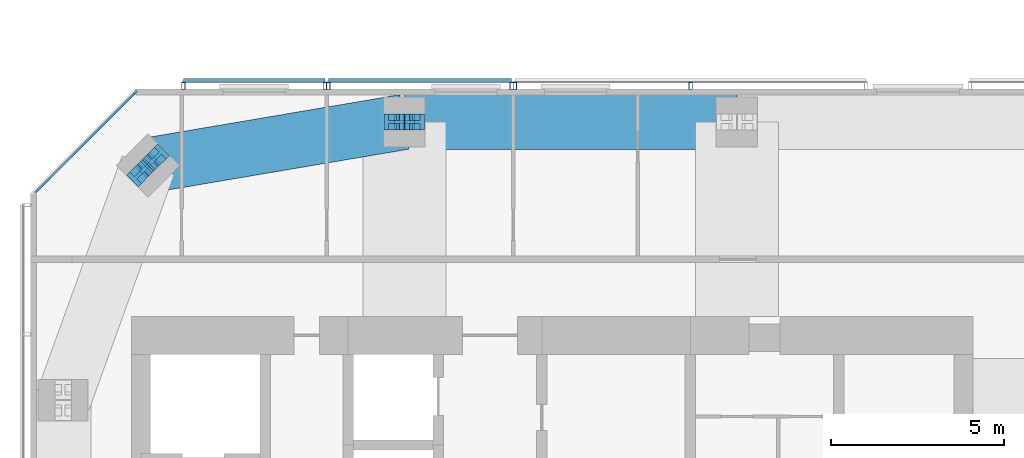
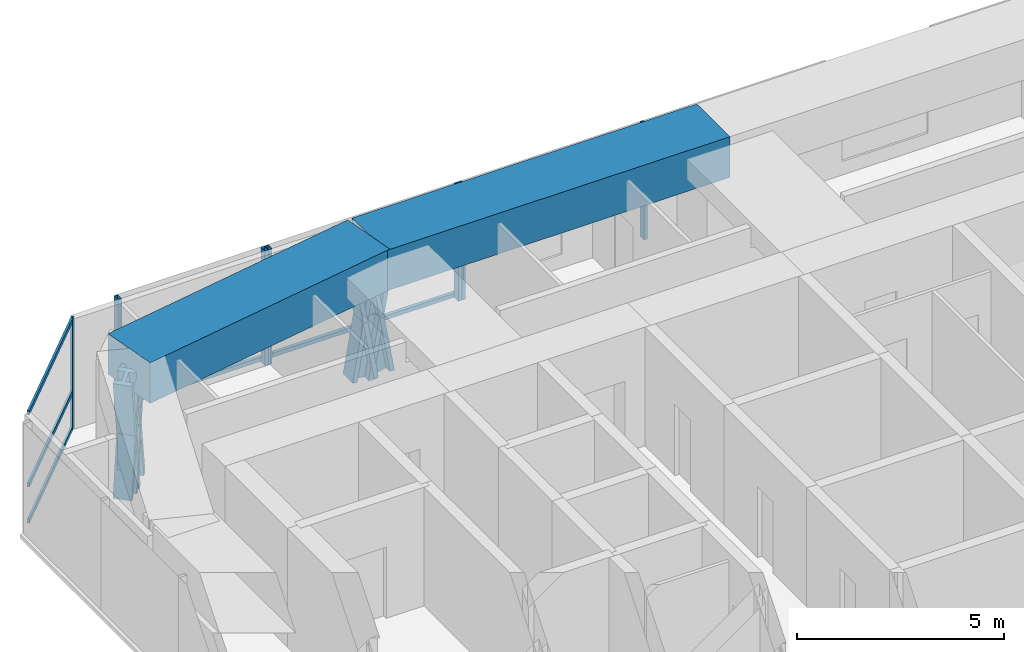
# One storey, part 9 of 18: 20 members, 2 beams, 4 elements without a shape of their own.
"""IFC4 building model written with IfcOpenShell, lengths in metres."""

from ifc_helpers import new_model, si_unit, direction, frame, origin, origin_2d, place, context, subcontext, project, spatial, rectangle, hollow_rectangle, i_section, extrude, material, material_profile, profile_set, type_object, element, aggregate, save


model = new_model("IFC4")

# Units and contexts
model_context = context("Model", 3, precision=1e-05, world=origin(), true_north=direction((0.0, 1.0)))
body_context = subcontext(model_context, "Body", "Model", "MODEL_VIEW")
ifc_project = project(units=[si_unit("LENGTHUNIT", "METRE"), si_unit("AREAUNIT", "SQUARE_METRE"), si_unit("VOLUMEUNIT", "CUBIC_METRE"), si_unit("PLANEANGLEUNIT", "RADIAN"), si_unit("MASSUNIT", "GRAM", prefix="KILO")], contexts=[model_context])

# Site, building, storey
site_placement = place(None, origin())
site = spatial("IfcSite", under=ifc_project, at=site_placement, CompositionType="ELEMENT")
building_placement = place(site_placement, origin())
building = spatial("IfcBuilding", under=site, at=building_placement, Name="Jalousie Tower", CompositionType="ELEMENT")
storey_placement = place(building_placement, frame((0.0, 0.0, 252.949951171875)))
storey = spatial("IfcBuildingStorey", under=building, at=storey_placement, Name="L69", CompositionType="ELEMENT", Elevation=252.949951171875)

# Curtain wall, members
ifc_material_1 = material(Name="Aluminium curtain wall", Category="aluminium")
curtain_wall_type_1 = type_object("IfcCurtainWallType", Name="CORNER WINDOW WALL", PredefinedType="USERDEFINED", material=ifc_material_1)
curtain_wall_1_placement = place(storey_placement, origin())
curtain_wall_1 = element("IfcCurtainWall", 1, at=curtain_wall_1_placement, inside=storey, type_object=curtain_wall_type_1, Name="Corner Window Wall L69 6", ObjectType="CORNER WINDOW WALL", PredefinedType="USERDEFINED")
ifc_material_2 = material(Name="Aluminium mullion", Category="aluminium")
ifc_material_profile_1 = material_profile(ifc_material_2, rectangle(XDim=0.06005859375, YDim=0.14990234375, at=origin_2d()), Name="MULLION 60x150")
ifc_profile_set_1 = profile_set([ifc_material_profile_1], Name="Aluminium mullion")
member_type_1 = type_object("IfcMemberType", Name="CORNER WINDOW WALL MULLION", PredefinedType="MULLION", material=ifc_profile_set_1)
member_1_placement = place(storey_placement, frame((19.830078125, 33.891357421875, 0.0), z_axis=(0.0, 0.0, 1.0), x_axis=(0.707106781187, -0.707106781187, 0.0)))
member_1 = element("IfcMember", 2, at=member_1_placement, type_object=member_type_1, Name="CW-C mullion 1", PredefinedType="MULLION", context=body_context, shape_type="SweptSolid", body=[
    extrude(rectangle(XDim=0.06005859375, YDim=0.14990234375, at=origin_2d()), origin(), (0.0, 0.0, 1.0), 3.260009765625),
])
ifc_material_3 = material(Name="Aluminium transom", Category="aluminium")
ifc_material_profile_2 = material_profile(ifc_material_3, rectangle(XDim=0.06005859375, YDim=0.1201171875, at=origin_2d()), Name="TRANSOM 60x120")
ifc_profile_set_2 = profile_set([ifc_material_profile_2], Name="Aluminium transom")
member_type_2 = type_object("IfcMemberType", Name="CORNER WINDOW WALL TRANSOM", PredefinedType="USERDEFINED", material=ifc_profile_set_2)
member_2_placement = place(storey_placement, frame((19.808837890625, 33.8701171875, 0.030029296875), z_axis=(-0.707106781187, -0.707106781187, 0.0), x_axis=(0.707106781187, -0.707106781187, 0.0)))
member_2 = element("IfcMember", 3, at=member_2_placement, type_object=member_type_2, Name="CW-C transom 1.1", ObjectType="TRANSOM", PredefinedType="USERDEFINED", context=body_context, shape_type="SweptSolid", body=[
    extrude(rectangle(XDim=0.06005859375, YDim=0.1201171875, at=origin_2d()), origin(), (0.0, 0.0, 1.0), 4.0712890625),
])
member_3_placement = place(storey_placement, frame((19.808837890625, 33.8701171875, 1.10009765625), z_axis=(-0.707106781187, -0.707106781187, 0.0), x_axis=(0.707106781187, -0.707106781187, 0.0)))
member_3 = element("IfcMember", 4, at=member_3_placement, type_object=member_type_2, Name="CW-C transom 1.2", ObjectType="TRANSOM", PredefinedType="USERDEFINED", context=body_context, shape_type="SweptSolid", body=[
    extrude(rectangle(XDim=0.06005859375, YDim=0.1201171875, at=origin_2d()), origin(), (0.0, 0.0, 1.0), 4.0712890625),
])
member_4_placement = place(storey_placement, frame((19.808837890625, 33.8701171875, 3.22998046875), z_axis=(-0.707106781187, -0.707106781187, 0.0), x_axis=(0.707106781187, -0.707106781187, 0.0)))
member_4 = element("IfcMember", 5, at=member_4_placement, type_object=member_type_2, Name="CW-C transom 1.3", ObjectType="TRANSOM", PredefinedType="USERDEFINED", context=body_context, shape_type="SweptSolid", body=[
    extrude(rectangle(XDim=0.06005859375, YDim=0.1201171875, at=origin_2d()), origin(), (0.0, 0.0, 1.0), 4.0712890625),
])
aggregate(curtain_wall_1, [member_1, member_2, member_3, member_4])

# Members
ifc_material_4 = material(Name="Steel ASTM A992 Grade 50", Category="steel")
ifc_material_profile_3 = material_profile(ifc_material_4, i_section(OverallWidth=0.472412109375, OverallDepth=0.5791015625, WebThickness=0.094970703125, FlangeThickness=0.1298828125, at=origin_2d()), Name="W14X808")
ifc_profile_set_3 = profile_set([ifc_material_profile_3], Name="Steel ASTM A992 Grade 50")
member_type_3 = type_object("IfcMemberType", Name="PERIMETER BRACE W14X808", PredefinedType="BRACE", material=ifc_profile_set_3)
for number, where, z_axis, x_axis, name in (
    (6, (27.324951171875, 33.050048828125, -0.599853515625), (0.168990530437, 0.0, 0.98561767467), (0.0, 1.0, 0.0), "Perimeter brace 11 L69 part 1"),
    (7, (27.625, 33.050048828125, 1.150146484375), (0.168990530437, 0.0, 0.98561767467), (0.0, 1.0, 0.0), "Perimeter brace 11 L69 part 2"),
    (8, (27.925048828125, 33.050048828125, -0.599853515625), (-0.168990530437, 0.0, 0.98561767467), (0.0, -1.0, 0.0), "Perimeter brace 11 L69 part 3"),
    (9, (27.625, 33.050048828125, 1.150146484375), (-0.168990530437, 0.0, 0.98561767467), (0.0, -1.0, 0.0), "Perimeter brace 11 L69 part 4"),
):
    element("IfcMember", number, at=place(storey_placement, frame(where, z_axis=z_axis, x_axis=x_axis)), inside=storey, type_object=member_type_3, Name=name, PredefinedType="BRACE", context=body_context, shape_type="SweptSolid", body=[
        extrude(i_section(OverallWidth=0.472412109375, OverallDepth=0.5791015625, WebThickness=0.094970703125, FlangeThickness=0.1298828125, at=origin_2d()), origin(), (0.0, 0.0, 1.0), 1.775634765625),
    ])
for number, where, z_axis, x_axis, name in (
    (10, (20.45458984375, 32.040283203125, -0.599853515625), (-0.138716051522, -0.138579250682, 0.980588419435), (0.706757851183, -0.707455539091, 0.0), "Perimeter brace 12 L69 part 1"),
    (11, (20.20703125, 31.79296875, 1.150146484375), (-0.138579250682, -0.138716051522, 0.980588419435), (0.707455539091, -0.706757851183, 0.0), "Perimeter brace 12 L69 part 2"),
    (12, (19.959716796875, 31.54541015625, -0.599853515625), (0.138579250682, 0.138716051522, 0.980588419435), (-0.707455539091, 0.706757851183, 0.0), "Perimeter brace 12 L69 part 3"),
    (13, (20.20703125, 31.79296875, 1.150146484375), (0.138716051522, 0.138579250682, 0.980588419435), (-0.706757851183, 0.707455539091, 0.0), "Perimeter brace 12 L69 part 4"),
):
    element("IfcMember", number, at=place(storey_placement, frame(where, z_axis=z_axis, x_axis=x_axis)), inside=storey, type_object=member_type_3, Name=name, PredefinedType="BRACE", context=body_context, shape_type="SweptSolid", body=[
        extrude(i_section(OverallWidth=0.472412109375, OverallDepth=0.5791015625, WebThickness=0.094970703125, FlangeThickness=0.1298828125, at=origin_2d()), origin(), (0.0, 0.0, 1.0), 1.78466796875),
    ])

# Beams
ifc_material_5 = material(Name="Concrete f'c 40 MPa", Category="concrete")
ifc_material_profile_4 = material_profile(ifc_material_5, rectangle(XDim=1.60009765625, YDim=1.199951171875, at=origin_2d()), Name="RC 1600x1200")
ifc_profile_set_4 = profile_set([ifc_material_profile_4], Name="Concrete f'c 40 MPa")
beam_type = type_object("IfcBeamType", Name="RC BEAM 1600x1200", PredefinedType="BEAM", material=ifc_profile_set_4)
beam_1_placement = place(storey_placement, frame((37.25, 33.050048828125, 2.900146484375), z_axis=(-1.0, 0.0, 0.0), x_axis=(0.0, -1.0, 0.0)))
element("IfcBeam", 14, at=beam_1_placement, inside=storey, type_object=beam_type, Name="Edge band beam 10-11 under L70", PredefinedType="BEAM", context=body_context, shape_type="SweptSolid", body=[
    extrude(rectangle(XDim=1.60009765625, YDim=1.199951171875, at=origin_2d()), origin(), (0.0, 0.0, 1.0), 9.625),
])
beam_2_placement = place(storey_placement, frame((27.625, 33.050048828125, 2.900146484375), z_axis=(-0.985942997446, -0.167082033105, 0.0), x_axis=(0.167082033105, -0.985942997446, 0.0)))
element("IfcBeam", 15, at=beam_2_placement, inside=storey, type_object=beam_type, Name="Edge band beam 11-12 under L70", PredefinedType="BEAM", context=body_context, shape_type="SweptSolid", body=[
    extrude(rectangle(XDim=1.60009765625, YDim=1.199951171875, at=origin_2d()), origin(), (0.0, 0.0, 1.0), 7.523681640625),
])

# Curtain wall, members
ifc_material_6 = material(Name="Perforated aluminium sheet", Category="aluminium")
curtain_wall_type_2 = type_object("IfcCurtainWallType", Name="SOLAR SCREEN SS-2", PredefinedType="USERDEFINED", material=ifc_material_6)
curtain_wall_2_placement = place(storey_placement, origin())
curtain_wall_2 = element("IfcCurtainWall", 16, at=curtain_wall_2_placement, inside=storey, type_object=curtain_wall_type_2, Name="Solar screen L69", ObjectType="SOLAR SCREEN SS-2", PredefinedType="USERDEFINED")
ifc_material_7 = material(Name="Steel ASTM A500 Grade C", Category="steel")
ifc_material_profile_5 = material_profile(ifc_material_7, hollow_rectangle(XDim=0.1015625, YDim=0.203125, WallThickness=0.0078125, at=origin_2d()), Name="HSS8X4X5/16")
ifc_profile_set_5 = profile_set([ifc_material_profile_5], Name="Steel ASTM A500 Grade C")
member_type_4 = type_object("IfcMemberType", Name="SOLAR SCREEN SS-2 MULLION", PredefinedType="MULLION", material=ifc_profile_set_5)
member_5_placement = place(storey_placement, frame((35.90673828125, 34.0966796875, -0.119873046875), z_axis=(0.0, 0.0, 1.0), x_axis=(-1.0, 0.0, 0.0)))
member_5 = element("IfcMember", 17, at=member_5_placement, type_object=member_type_4, Name="SS2 post 2", PredefinedType="MULLION", context=body_context, shape_type="SweptSolid", body=[
    extrude(hollow_rectangle(XDim=0.1015625, YDim=0.203125, WallThickness=0.0078125, at=origin_2d()), origin(), (0.0, 0.0, 1.0), 3.3798828125),
])
member_6_placement = place(storey_placement, frame((30.824951171875, 34.0966796875, -0.119873046875), z_axis=(0.0, 0.0, 1.0), x_axis=(-1.0, 0.0, 0.0)))
member_6 = element("IfcMember", 18, at=member_6_placement, type_object=member_type_4, Name="SS2 post 3", PredefinedType="MULLION", context=body_context, shape_type="SweptSolid", body=[
    extrude(hollow_rectangle(XDim=0.1015625, YDim=0.203125, WallThickness=0.0078125, at=origin_2d()), origin(), (0.0, 0.0, 1.0), 3.3798828125),
])
aggregate(curtain_wall_2, [member_5, member_6])

curtain_wall_3_placement = place(storey_placement, origin())
curtain_wall_3 = element("IfcCurtainWall", 19, at=curtain_wall_3_placement, inside=storey, type_object=curtain_wall_type_2, Name="Solar screen L69", ObjectType="SOLAR SCREEN SS-2", PredefinedType="USERDEFINED")
member_7_placement = place(storey_placement, frame((30.72509765625, 34.0966796875, -0.119873046875), z_axis=(0.0, 0.0, 1.0), x_axis=(-1.0, 0.0, 0.0)))
member_7 = element("IfcMember", 20, at=member_7_placement, type_object=member_type_4, Name="SS2 post 1", PredefinedType="MULLION", context=body_context, shape_type="SweptSolid", body=[
    extrude(hollow_rectangle(XDim=0.1015625, YDim=0.203125, WallThickness=0.0078125, at=origin_2d()), origin(), (0.0, 0.0, 1.0), 3.3798828125),
])
member_8_placement = place(storey_placement, frame((25.425048828125, 34.0966796875, -0.119873046875), z_axis=(0.0, 0.0, 1.0), x_axis=(-1.0, 0.0, 0.0)))
member_8 = element("IfcMember", 21, at=member_8_placement, type_object=member_type_4, Name="SS2 post 2", PredefinedType="MULLION", context=body_context, shape_type="SweptSolid", body=[
    extrude(hollow_rectangle(XDim=0.1015625, YDim=0.203125, WallThickness=0.0078125, at=origin_2d()), origin(), (0.0, 0.0, 1.0), 3.3798828125),
])

curtain_wall_4_placement = place(storey_placement, origin())
curtain_wall_4 = element("IfcCurtainWall", 22, at=curtain_wall_4_placement, inside=storey, type_object=curtain_wall_type_2, Name="Solar screen L69", ObjectType="SOLAR SCREEN SS-2", PredefinedType="USERDEFINED")
member_9_placement = place(storey_placement, frame((25.324951171875, 34.0966796875, -0.119873046875), z_axis=(0.0, 0.0, 1.0), x_axis=(-1.0, 0.0, 0.0)))
member_9 = element("IfcMember", 23, at=member_9_placement, type_object=member_type_4, Name="SS2 post 1", PredefinedType="MULLION", context=body_context, shape_type="SweptSolid", body=[
    extrude(hollow_rectangle(XDim=0.1015625, YDim=0.203125, WallThickness=0.0078125, at=origin_2d()), origin(), (0.0, 0.0, 1.0), 3.3798828125),
])
member_10_placement = place(storey_placement, frame((21.226318359375, 34.0966796875, -0.119873046875), z_axis=(0.0, 0.0, 1.0), x_axis=(-1.0, 0.0, 0.0)))
member_10 = element("IfcMember", 24, at=member_10_placement, type_object=member_type_4, Name="SS2 post 2", PredefinedType="MULLION", context=body_context, shape_type="SweptSolid", body=[
    extrude(hollow_rectangle(XDim=0.1015625, YDim=0.203125, WallThickness=0.0078125, at=origin_2d()), origin(), (0.0, 0.0, 1.0), 3.3798828125),
])

# Member
ifc_material_8 = material(Name="Extruded aluminium screen rail", Category="aluminium")
ifc_material_profile_6 = material_profile(ifc_material_8, rectangle(XDim=0.1015625, YDim=0.1201171875, at=origin_2d()), Name="RAIL 102x120")
ifc_profile_set_6 = profile_set([ifc_material_profile_6], Name="Extruded aluminium screen rail")
member_type_5 = type_object("IfcMemberType", Name="SOLAR SCREEN SS-2 TRANSOM", PredefinedType="USERDEFINED", material=ifc_profile_set_6)
member_11_placement = place(storey_placement, frame((30.72509765625, 34.2490234375, -0.06005859375), z_axis=(-1.0, 0.0, 0.0), x_axis=(0.0, -1.0, 0.0)))
member_11 = element("IfcMember", 25, at=member_11_placement, type_object=member_type_5, Name="SS2 rail", ObjectType="TRANSOM", PredefinedType="USERDEFINED", context=body_context, shape_type="SweptSolid", body=[
    extrude(rectangle(XDim=0.1015625, YDim=0.1201171875, at=origin_2d()), origin(), (0.0, 0.0, 1.0), 5.300048828125),
])

aggregate(curtain_wall_3, [member_7, member_8, member_11])

member_12_placement = place(storey_placement, frame((25.324951171875, 34.2490234375, -0.06005859375), z_axis=(-1.0, 0.0, 0.0), x_axis=(0.0, -1.0, 0.0)))
member_12 = element("IfcMember", 26, at=member_12_placement, type_object=member_type_5, Name="SS2 rail", ObjectType="TRANSOM", PredefinedType="USERDEFINED", context=body_context, shape_type="SweptSolid", body=[
    extrude(rectangle(XDim=0.1015625, YDim=0.1201171875, at=origin_2d()), origin(), (0.0, 0.0, 1.0), 4.0986328125),
])

aggregate(curtain_wall_4, [member_9, member_10, member_12])

save(model, "model.ifc")
